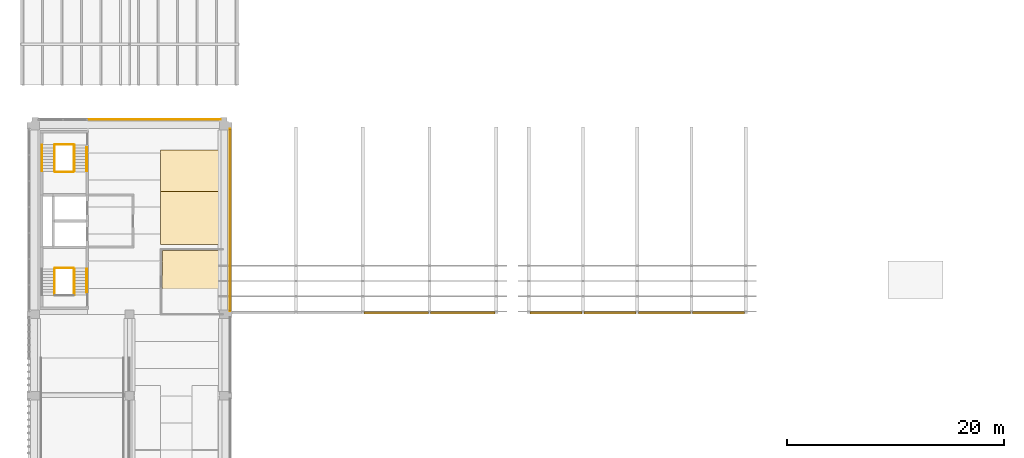
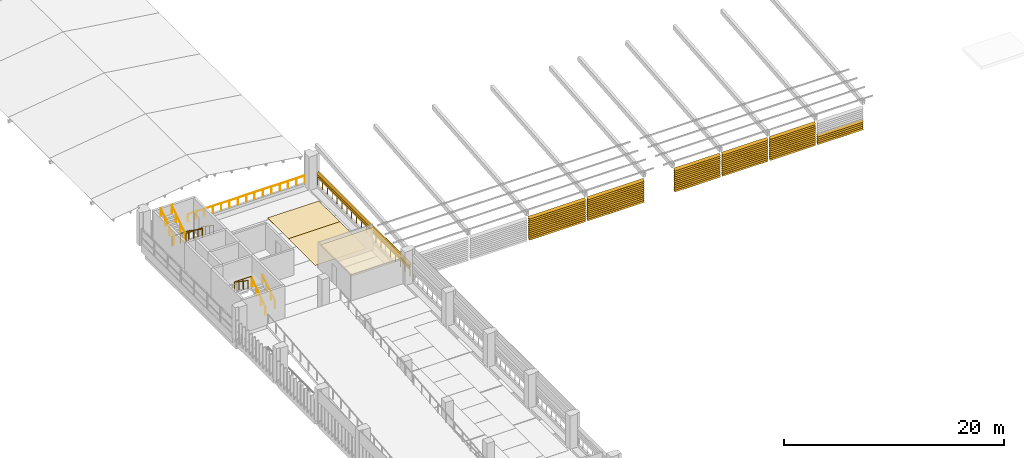
# One storey, part 44 of 52: 68 shading devices, 12 railings, 3 coverings.
"""IFC4 building model written with IfcOpenShell, lengths in metres."""

from ifc_helpers import new_model, si_unit, direction, frame, origin, origin_2d, place, context, subcontext, project, spatial, polyline, circle, outline, extrude, material, layer, layer_set, type_object, element, save


model = new_model("IFC4")

# Units and contexts
model_context = context("Model", 3, precision=1e-05, world=origin(), true_north=direction((0.0, 1.0)))
body_context = subcontext(model_context, "Body", "Model", "MODEL_VIEW")
ifc_project = project(units=[si_unit("LENGTHUNIT", "METRE"), si_unit("AREAUNIT", "SQUARE_METRE"), si_unit("VOLUMEUNIT", "CUBIC_METRE"), si_unit("PLANEANGLEUNIT", "RADIAN"), si_unit("MASSUNIT", "GRAM", prefix="KILO")], contexts=[model_context])

# Site, building, storey
site_placement = place(None, origin())
site = spatial("IfcSite", under=ifc_project, at=site_placement, CompositionType="ELEMENT")
building_placement = place(site_placement, origin())
building = spatial("IfcBuilding", under=site, at=building_placement, Name="Cour d'Honneur Mobility Palace", CompositionType="ELEMENT")
storey_placement = place(building_placement, frame((0.0, 0.0, 23.0)))
storey = spatial("IfcBuildingStorey", under=building, at=storey_placement, Name="L06", CompositionType="ELEMENT", Elevation=23.0)

# Coverings
ifc_material_1 = material(Name="Accessible bay marking paint")
ifc_layer_1 = layer(ifc_material_1, 0.0048828125)
ifc_layer_set_1 = layer_set([ifc_layer_1], Name="Accessible bay marking paint")
covering_type_1 = type_object("IfcCoveringType", Name="Accessible parking bay marking", PredefinedType="FLOORING", material=ifc_layer_set_1)
covering_1_placement = place(storey_placement, origin())
element("IfcCovering", 1, at=covering_1_placement, inside=storey, type_object=covering_type_1, Name="Accessible parking bay marking L06 1", PredefinedType="FLOORING", context=body_context, shape_type="SweptSolid", body=[
    extrude(outline(polyline([(16.949951171875, 51.449951171875), (11.550048828125, 51.449951171875), (11.550048828125, 56.35009765625), (16.949951171875, 56.35009765625), (16.949951171875, 51.449951171875)])), origin(), (0.0, 0.0, 1.0), 0.0048828125),
])
covering_2_placement = place(storey_placement, origin())
element("IfcCovering", 2, at=covering_2_placement, inside=storey, type_object=covering_type_1, Name="Accessible parking bay marking L06 2", PredefinedType="FLOORING", context=body_context, shape_type="SweptSolid", body=[
    extrude(outline(polyline([(11.550048828125, 60.14990234375), (16.949951171875, 60.14990234375), (16.949951171875, 55.25), (11.550048828125, 55.25), (11.550048828125, 60.14990234375)])), origin(), (0.0, 0.0, 1.0), 0.0048828125),
])

# Railings
ifc_material_2 = material(Name="Painted steel", Category="steel")
railing_type_1 = type_object("IfcRailingType", Name="Balustrade", PredefinedType="BALUSTRADE", material=ifc_material_2)
railing_1_placement = place(storey_placement, frame((17.949951171875, 45.300048828125, 0.300048828125)))
element("IfcRailing", 3, at=railing_1_placement, inside=storey, type_object=railing_type_1, Name="Balustrade BAL-348", PredefinedType="BALUSTRADE", context=body_context, shape_type="SweptSolid", body=[
    extrude(circle(Radius=0.02392578125, at=origin_2d()), frame((0.0, 0.0, 0.77587890625), z_axis=(0.0, 1.0, 0.0), x_axis=(-1.0, 0.0, 0.0)), (0.0, 0.0, 1.0), 16.800048828125),
    extrude(circle(Radius=0.02099609375, at=origin_2d()), origin(), (0.0, 0.0, 1.0), 0.751953125),
    extrude(circle(Radius=0.02099609375, at=origin_2d()), frame((0.0, 0.88427734375, 0.0)), (0.0, 0.0, 1.0), 0.751953125),
    extrude(circle(Radius=0.02099609375, at=origin_2d()), frame((0.0, 1.768310546875, 0.0)), (0.0, 0.0, 1.0), 0.751953125),
    extrude(circle(Radius=0.02099609375, at=origin_2d()), frame((0.0, 2.652587890625, 0.0)), (0.0, 0.0, 1.0), 0.751953125),
    extrude(circle(Radius=0.02099609375, at=origin_2d()), frame((0.0, 3.536865234375, 0.0)), (0.0, 0.0, 1.0), 0.751953125),
    extrude(circle(Radius=0.02099609375, at=origin_2d()), frame((0.0, 4.421142578125, 0.0)), (0.0, 0.0, 1.0), 0.751953125),
    extrude(circle(Radius=0.02099609375, at=origin_2d()), frame((0.0, 5.30517578125, 0.0)), (0.0, 0.0, 1.0), 0.751953125),
    extrude(circle(Radius=0.02099609375, at=origin_2d()), frame((0.0, 6.189453125, 0.0)), (0.0, 0.0, 1.0), 0.751953125),
    extrude(circle(Radius=0.02099609375, at=origin_2d()), frame((0.0, 7.07373046875, 0.0)), (0.0, 0.0, 1.0), 0.751953125),
    extrude(circle(Radius=0.02099609375, at=origin_2d()), frame((0.0, 7.9580078125, 0.0)), (0.0, 0.0, 1.0), 0.751953125),
    extrude(circle(Radius=0.02099609375, at=origin_2d()), frame((0.0, 8.842041015625, 0.0)), (0.0, 0.0, 1.0), 0.751953125),
    extrude(circle(Radius=0.02099609375, at=origin_2d()), frame((0.0, 9.726318359375, 0.0)), (0.0, 0.0, 1.0), 0.751953125),
    extrude(circle(Radius=0.02099609375, at=origin_2d()), frame((0.0, 10.610595703125, 0.0)), (0.0, 0.0, 1.0), 0.751953125),
    extrude(circle(Radius=0.02099609375, at=origin_2d()), frame((0.0, 11.494873046875, 0.0)), (0.0, 0.0, 1.0), 0.751953125),
    extrude(circle(Radius=0.02099609375, at=origin_2d()), frame((0.0, 12.37890625, 0.0)), (0.0, 0.0, 1.0), 0.751953125),
    extrude(circle(Radius=0.02099609375, at=origin_2d()), frame((0.0, 13.26318359375, 0.0)), (0.0, 0.0, 1.0), 0.751953125),
    extrude(circle(Radius=0.02099609375, at=origin_2d()), frame((0.0, 14.1474609375, 0.0)), (0.0, 0.0, 1.0), 0.751953125),
    extrude(circle(Radius=0.02099609375, at=origin_2d()), frame((0.0, 15.03173828125, 0.0)), (0.0, 0.0, 1.0), 0.751953125),
    extrude(circle(Radius=0.02099609375, at=origin_2d()), frame((0.0, 15.915771484375, 0.0)), (0.0, 0.0, 1.0), 0.751953125),
    extrude(circle(Radius=0.02099609375, at=origin_2d()), frame((0.0, 16.800048828125, 0.0)), (0.0, 0.0, 1.0), 0.751953125),
])
railing_2_placement = place(storey_placement, frame((17.10009765625, 62.949951171875, 0.300048828125)))
element("IfcRailing", 4, at=railing_2_placement, inside=storey, type_object=railing_type_1, Name="Balustrade BAL-349", PredefinedType="BALUSTRADE", context=body_context, shape_type="SweptSolid", body=[
    extrude(circle(Radius=0.02392578125, at=origin_2d()), frame((0.0, 0.0, 0.77587890625), z_axis=(-1.0, 0.0, 0.0), x_axis=(0.0, -1.0, 0.0)), (0.0, 0.0, 1.0), 12.300048828125),
    extrude(circle(Radius=0.02099609375, at=origin_2d()), origin(), (0.0, 0.0, 1.0), 0.751953125),
    extrude(circle(Radius=0.02099609375, at=origin_2d()), frame((-0.878662109375, 0.0, 0.0)), (0.0, 0.0, 1.0), 0.751953125),
    extrude(circle(Radius=0.02099609375, at=origin_2d()), frame((-1.757080078125, 0.0, 0.0)), (0.0, 0.0, 1.0), 0.751953125),
    extrude(circle(Radius=0.02099609375, at=origin_2d()), frame((-2.6357421875, 0.0, 0.0)), (0.0, 0.0, 1.0), 0.751953125),
    extrude(circle(Radius=0.02099609375, at=origin_2d()), frame((-3.514404296875, 0.0, 0.0)), (0.0, 0.0, 1.0), 0.751953125),
    extrude(circle(Radius=0.02099609375, at=origin_2d()), frame((-4.392822265625, 0.0, 0.0)), (0.0, 0.0, 1.0), 0.751953125),
    extrude(circle(Radius=0.02099609375, at=origin_2d()), frame((-5.271484375, 0.0, 0.0)), (0.0, 0.0, 1.0), 0.751953125),
    extrude(circle(Radius=0.02099609375, at=origin_2d()), frame((-6.14990234375, 0.0, 0.0)), (0.0, 0.0, 1.0), 0.751953125),
    extrude(circle(Radius=0.02099609375, at=origin_2d()), frame((-7.028564453125, 0.0, 0.0)), (0.0, 0.0, 1.0), 0.751953125),
    extrude(circle(Radius=0.02099609375, at=origin_2d()), frame((-7.9072265625, 0.0, 0.0)), (0.0, 0.0, 1.0), 0.751953125),
    extrude(circle(Radius=0.02099609375, at=origin_2d()), frame((-8.78564453125, 0.0, 0.0)), (0.0, 0.0, 1.0), 0.751953125),
    extrude(circle(Radius=0.02099609375, at=origin_2d()), frame((-9.664306640625, 0.0, 0.0)), (0.0, 0.0, 1.0), 0.751953125),
    extrude(circle(Radius=0.02099609375, at=origin_2d()), frame((-10.54296875, 0.0, 0.0)), (0.0, 0.0, 1.0), 0.751953125),
    extrude(circle(Radius=0.02099609375, at=origin_2d()), frame((-11.42138671875, 0.0, 0.0)), (0.0, 0.0, 1.0), 0.751953125),
    extrude(circle(Radius=0.02099609375, at=origin_2d()), frame((-12.300048828125, 0.0, 0.0)), (0.0, 0.0, 1.0), 0.751953125),
])
ifc_material_3 = material(Name="Painted steel", Category="steel")
railing_type_2 = type_object("IfcRailingType", Name="Guardrail 1100", PredefinedType="GUARDRAIL", material=ifc_material_3)
for number, where, name in (
    (5, (1.824951171875, 49.264892578125, 1.85009765625), "Landing guard ST-CW1"),
    (6, (1.824951171875, 60.64501953125, 0.0), "Guard ST-CW2"),
    (7, (1.824951171875, 58.135009765625, 1.85009765625), "Landing guard ST-CW2"),
):
    element("IfcRailing", number, at=place(storey_placement, frame(where)), inside=storey, type_object=railing_type_2, Name=name, PredefinedType="GUARDRAIL", context=body_context, shape_type="SweptSolid", body=[
        extrude(circle(Radius=0.02490234375, at=origin_2d()), frame((0.0, 0.0, 1.0751953125), z_axis=(1.0, 0.0, 0.0), x_axis=(0.0, 1.0, 0.0)), (0.0, 0.0, 1.0), 1.72509765625),
        extrude(circle(Radius=0.02099609375, at=origin_2d()), origin(), (0.0, 0.0, 1.0), 1.050048828125),
        extrude(circle(Radius=0.02099609375, at=origin_2d()), frame((0.862548828125, 0.0, 0.0)), (0.0, 0.0, 1.0), 1.050048828125),
        extrude(circle(Radius=0.02099609375, at=origin_2d()), frame((1.72509765625, 0.0, 0.0)), (0.0, 0.0, 1.0), 1.050048828125),
    ])
ifc_material_4 = material(Name="Stainless steel", Category="steel")
railing_type_3 = type_object("IfcRailingType", Name="Handrail round 50", PredefinedType="HANDRAIL", material=ifc_material_4)
railing_3_placement = place(storey_placement, frame((4.75, 47.0, 0.339111328125)))
element("IfcRailing", 8, at=railing_3_placement, inside=storey, type_object=railing_type_3, Name="Handrail ST-CW1", PredefinedType="HANDRAIL", context=body_context, shape_type="SweptSolid", body=[
    extrude(circle(Radius=0.02490234375, at=origin_2d()), frame((0.0, 0.0, 0.89501953125), z_axis=(0.0, 0.824915021957, 0.565256761613), x_axis=(-1.0, 0.0, 0.0)), (0.0, 0.0, 1.0), 2.673095703125),
    extrude(circle(Radius=0.02099609375, at=origin_2d()), origin(), (0.0, 0.0, 1.0), 0.869873046875),
    extrude(circle(Radius=0.02099609375, at=origin_2d()), frame((0.0, 0.735107421875, 0.503662109375)), (0.0, 0.0, 1.0), 0.869873046875),
    extrude(circle(Radius=0.02099609375, at=origin_2d()), frame((0.0, 1.469970703125, 1.00732421875)), (0.0, 0.0, 1.0), 0.869873046875),
    extrude(circle(Radius=0.02099609375, at=origin_2d()), frame((0.0, 2.205078125, 1.510986328125)), (0.0, 0.0, 1.0), 0.869873046875),
])
railing_4_placement = place(storey_placement, frame((3.60009765625, 46.77490234375, 0.18505859375)))
element("IfcRailing", 9, at=railing_4_placement, inside=storey, type_object=railing_type_3, Name="Handrail ST-CW1", PredefinedType="HANDRAIL", context=body_context, shape_type="SweptSolid", body=[
    extrude(circle(Radius=0.02490234375, at=origin_2d()), frame((0.0, 0.0, 0.89501953125), z_axis=(0.0, 0.824945253146, 0.565212640793), x_axis=(-1.0, 0.0, 0.0)), (0.0, 0.0, 1.0), 2.94580078125),
    extrude(circle(Radius=0.02099609375, at=origin_2d()), origin(), (0.0, 0.0, 1.0), 0.869873046875),
    extrude(circle(Radius=0.02099609375, at=origin_2d()), frame((0.0, 0.81005859375, 0.554931640625)), (0.0, 0.0, 1.0), 0.869873046875),
    extrude(circle(Radius=0.02099609375, at=origin_2d()), frame((0.0, 1.6201171875, 1.110107421875)), (0.0, 0.0, 1.0), 0.869873046875),
    extrude(circle(Radius=0.02099609375, at=origin_2d()), frame((0.0, 2.43017578125, 1.6650390625)), (0.0, 0.0, 1.0), 0.869873046875),
])
railing_5_placement = place(storey_placement, frame((1.77490234375, 49.205078125, 2.034912109375)))
element("IfcRailing", 10, at=railing_5_placement, inside=storey, type_object=railing_type_3, Name="Handrail ST-CW1", PredefinedType="HANDRAIL", context=body_context, shape_type="SweptSolid", body=[
    extrude(circle(Radius=0.02490234375, at=origin_2d()), frame((0.0, 0.0, 0.89501953125), z_axis=(0.0, -0.824945253146, 0.565212640793), x_axis=(1.0, 0.0, 0.0)), (0.0, 0.0, 1.0), 2.94580078125),
    extrude(circle(Radius=0.02099609375, at=origin_2d()), origin(), (0.0, 0.0, 1.0), 0.869873046875),
    extrude(circle(Radius=0.02099609375, at=origin_2d()), frame((0.0, -0.81005859375, 0.554931640625)), (0.0, 0.0, 1.0), 0.869873046875),
    extrude(circle(Radius=0.02099609375, at=origin_2d()), frame((0.0, -1.6201171875, 1.110107421875)), (0.0, 0.0, 1.0), 0.869873046875),
    extrude(circle(Radius=0.02099609375, at=origin_2d()), frame((0.0, -2.43017578125, 1.6650390625)), (0.0, 0.0, 1.0), 0.869873046875),
])
railing_6_placement = place(storey_placement, frame((4.75, 60.39990234375, 0.339111328125)))
element("IfcRailing", 11, at=railing_6_placement, inside=storey, type_object=railing_type_3, Name="Handrail ST-CW2", PredefinedType="HANDRAIL", context=body_context, shape_type="SweptSolid", body=[
    extrude(circle(Radius=0.02490234375, at=origin_2d()), frame((0.0, 0.0, 0.89501953125), z_axis=(0.0, -0.82488583654, 0.565299351384), x_axis=(1.0, 0.0, 0.0)), (0.0, 0.0, 1.0), 2.6728515625),
    extrude(circle(Radius=0.02099609375, at=origin_2d()), origin(), (0.0, 0.0, 1.0), 0.869873046875),
    extrude(circle(Radius=0.02099609375, at=origin_2d()), frame((0.0, -0.73486328125, 0.503662109375)), (0.0, 0.0, 1.0), 0.869873046875),
    extrude(circle(Radius=0.02099609375, at=origin_2d()), frame((0.0, -1.469970703125, 1.00732421875)), (0.0, 0.0, 1.0), 0.869873046875),
    extrude(circle(Radius=0.02099609375, at=origin_2d()), frame((0.0, -2.204833984375, 1.510986328125)), (0.0, 0.0, 1.0), 0.869873046875),
])
railing_7_placement = place(storey_placement, frame((3.60009765625, 60.625, 0.18505859375)))
element("IfcRailing", 12, at=railing_7_placement, inside=storey, type_object=railing_type_3, Name="Handrail ST-CW2", PredefinedType="HANDRAIL", context=body_context, shape_type="SweptSolid", body=[
    extrude(circle(Radius=0.02490234375, at=origin_2d()), frame((0.0, 0.0, 0.89501953125), z_axis=(0.0, -0.8249187745, 0.56525128525), x_axis=(1.0, 0.0, 0.0)), (0.0, 0.0, 1.0), 2.945556640625),
    extrude(circle(Radius=0.02099609375, at=origin_2d()), origin(), (0.0, 0.0, 1.0), 0.869873046875),
    extrude(circle(Radius=0.02099609375, at=origin_2d()), frame((0.0, -0.81005859375, 0.554931640625)), (0.0, 0.0, 1.0), 0.869873046875),
    extrude(circle(Radius=0.02099609375, at=origin_2d()), frame((0.0, -1.619873046875, 1.110107421875)), (0.0, 0.0, 1.0), 0.869873046875),
    extrude(circle(Radius=0.02099609375, at=origin_2d()), frame((0.0, -2.429931640625, 1.6650390625)), (0.0, 0.0, 1.0), 0.869873046875),
])
for number, where, name in (
    (13, (1.77490234375, 58.195068359375, 2.034912109375), "Handrail ST-CW2"),
    (14, (0.625, 58.195068359375, 2.034912109375), "Handrail ST-CW2"),
):
    element("IfcRailing", number, at=place(storey_placement, frame(where)), inside=storey, type_object=railing_type_3, Name=name, PredefinedType="HANDRAIL", context=body_context, shape_type="SweptSolid", body=[
        extrude(circle(Radius=0.02490234375, at=origin_2d()), frame((0.0, 0.0, 0.89501953125), z_axis=(0.0, 0.8249187745, 0.56525128525), x_axis=(-1.0, 0.0, 0.0)), (0.0, 0.0, 1.0), 2.945556640625),
        extrude(circle(Radius=0.02099609375, at=origin_2d()), origin(), (0.0, 0.0, 1.0), 0.869873046875),
        extrude(circle(Radius=0.02099609375, at=origin_2d()), frame((0.0, 0.81005859375, 0.554931640625)), (0.0, 0.0, 1.0), 0.869873046875),
        extrude(circle(Radius=0.02099609375, at=origin_2d()), frame((0.0, 1.619873046875, 1.110107421875)), (0.0, 0.0, 1.0), 0.869873046875),
        extrude(circle(Radius=0.02099609375, at=origin_2d()), frame((0.0, 2.429931640625, 1.6650390625)), (0.0, 0.0, 1.0), 0.869873046875),
    ])

# Covering
ifc_material_5 = material(Name="Suspended ceiling")
ifc_layer_2 = layer(ifc_material_5, 0.030029296875)
ifc_layer_set_2 = layer_set([ifc_layer_2], Name="Suspended ceiling")
covering_type_2 = type_object("IfcCoveringType", Name="Suspended ceiling", PredefinedType="CEILING", material=ifc_layer_set_2)
covering_3_placement = place(storey_placement, frame((0.0, 0.0, 2.550048828125)))
element("IfcCovering", 15, at=covering_3_placement, inside=storey, type_object=covering_type_2, Name="Ceiling Charging Control Room", PredefinedType="CEILING", context=body_context, shape_type="SweptSolid", body=[
    extrude(outline(polyline([(17.280029296875, 45.1201171875), (11.719970703125, 45.1201171875), (11.719970703125, 50.8798828125), (17.280029296875, 50.8798828125), (17.280029296875, 45.1201171875)])), origin(), (0.0, 0.0, 1.0), 0.030029296875),
])

# Shading devices
ifc_material_6 = material(Name="Terracotta", Category="masonry")
ifc_layer_3 = layer(ifc_material_6, 0.02490234375)
ifc_layer_set_3 = layer_set([ifc_layer_3], Name="Terracotta")
shading_device_type = type_object("IfcShadingDeviceType", Name="Terracotta louvre blade", PredefinedType="JALOUSIE", material=ifc_layer_set_3)
shading_device_1_placement = place(storey_placement, frame((17.843994140625, 45.300048828125, 1.10009765625), z_axis=(-0.706699578995, 0.0, 0.707513749017), x_axis=(0.0, 1.0, 0.0)))
element("IfcShadingDevice", 16, at=shading_device_1_placement, inside=storey, type_object=shading_device_type, Name="Louvre blade LV-1 E1.6 L06 1", PredefinedType="JALOUSIE", context=body_context, shape_type="SweptSolid", body=[
    extrude(outline(polyline([(0.0, 0.0), (16.800048828125, 0.0), (16.800048828125, -0.29986442442957895), (0.0, -0.29986442442957895), (0.0, 0.0)])), origin(), (0.0, 0.0, -1.0), 0.02490234375),
])
for number, where, z_axis, x_axis, name in (
    (17, (17.843994140625, 45.300048828125, 1.31201171875), (-0.707106781187, 0.0, 0.707106781187), (0.0, 1.0, 0.0), "Louvre blade LV-1 E1.6 L06 2"),
    (18, (17.843994140625, 45.300048828125, 1.524169921875), (-0.707106781187, 0.0, 0.707106781187), (0.0, 1.0, 0.0), "Louvre blade LV-1 E1.6 L06 3"),
):
    element("IfcShadingDevice", number, at=place(storey_placement, frame(where, z_axis=z_axis, x_axis=x_axis)), inside=storey, type_object=shading_device_type, Name=name, PredefinedType="JALOUSIE", context=body_context, shape_type="SweptSolid", body=[
        extrude(outline(polyline([(0.0, 0.0), (16.800048828125, 0.0), (16.800048828125, -0.30003700822808094), (0.0, -0.30003700822808094), (0.0, 0.0)])), origin(), (0.0, 0.0, -1.0), 0.02490234375),
    ])
for number, where, z_axis, x_axis, name in (
    (19, (30.300048828125, 45.01904296875, 0.124267578125), (0.0, -0.707513749017, 0.706699578995), (1.0, 0.0, 0.0), "Louvre blade LV-2 FW PG-FW-S3 3"),
    (20, (30.300048828125, 45.01904296875, 0.33642578125), (0.0, -0.707513749017, 0.706699578995), (1.0, 0.0, 0.0), "Louvre blade LV-2 FW PG-FW-S3 4"),
    (21, (30.300048828125, 45.01904296875, 0.548583984375), (0.0, -0.707513749017, 0.706699578995), (1.0, 0.0, 0.0), "Louvre blade LV-2 FW PG-FW-S3 5"),
    (22, (30.300048828125, 45.01904296875, 0.7607421875), (0.0, -0.707513749017, 0.706699578995), (1.0, 0.0, 0.0), "Louvre blade LV-2 FW PG-FW-S3 6"),
):
    element("IfcShadingDevice", number, at=place(storey_placement, frame(where, z_axis=z_axis, x_axis=x_axis)), inside=storey, type_object=shading_device_type, Name=name, PredefinedType="JALOUSIE", context=body_context, shape_type="SweptSolid", body=[
        extrude(outline(polyline([(0.0, 0.0), (5.949951171875, 0.0), (5.949951171875, 0.29986442442957895), (0.0, 0.29986442442957895), (0.0, 0.0)])), origin(), (0.0, 0.0, -1.0), 0.02490234375),
    ])
shading_device_2_placement = place(storey_placement, frame((30.300048828125, 45.01904296875, 0.972900390625), z_axis=(0.0, -0.707106781187, 0.707106781187), x_axis=(1.0, 0.0, 0.0)))
element("IfcShadingDevice", 23, at=shading_device_2_placement, inside=storey, type_object=shading_device_type, Name="Louvre blade LV-2 FW PG-FW-S3 7", PredefinedType="JALOUSIE", context=body_context, shape_type="SweptSolid", body=[
    extrude(outline(polyline([(0.0, 0.0), (5.949951171875, 0.0), (5.949951171875, 0.29969174124507975), (0.0, 0.29969174124507975), (0.0, 0.0)])), origin(), (0.0, 0.0, -1.0), 0.02490234375),
])
for number, where, z_axis, x_axis, name in (
    (24, (30.300048828125, 45.01904296875, 1.184814453125), (0.0, -0.707513749017, 0.706699578995), (1.0, 0.0, 0.0), "Louvre blade LV-2 FW PG-FW-S3 8"),
    (25, (30.300048828125, 45.01904296875, 1.39697265625), (0.0, -0.707513749017, 0.706699578995), (1.0, 0.0, 0.0), "Louvre blade LV-2 FW PG-FW-S3 9"),
    (26, (30.300048828125, 45.01904296875, 1.609130859375), (0.0, -0.707513749017, 0.706699578995), (1.0, 0.0, 0.0), "Louvre blade LV-2 FW PG-FW-S3 10"),
    (27, (30.300048828125, 45.01904296875, 1.8212890625), (0.0, -0.707513749017, 0.706699578995), (1.0, 0.0, 0.0), "Louvre blade LV-2 FW PG-FW-S3 11"),
    (28, (30.300048828125, 45.01904296875, 2.033447265625), (0.0, -0.707513749017, 0.706699578995), (1.0, 0.0, 0.0), "Louvre blade LV-2 FW PG-FW-S3 12"),
    (29, (30.300048828125, 45.01904296875, 2.24560546875), (0.0, -0.707513749017, 0.706699578995), (1.0, 0.0, 0.0), "Louvre blade LV-2 FW PG-FW-S3 13"),
    (30, (30.300048828125, 45.01904296875, 2.457763671875), (0.0, -0.707513749017, 0.706699578995), (1.0, 0.0, 0.0), "Louvre blade LV-2 FW PG-FW-S3 14"),
    (31, (36.449951171875, 45.01904296875, 0.124267578125), (0.0, -0.707513749017, 0.706699578995), (1.0, 0.0, 0.0), "Louvre blade LV-2 FW PG-FW-S4 3"),
    (32, (36.449951171875, 45.01904296875, 0.33642578125), (0.0, -0.707513749017, 0.706699578995), (1.0, 0.0, 0.0), "Louvre blade LV-2 FW PG-FW-S4 4"),
    (33, (36.449951171875, 45.01904296875, 0.548583984375), (0.0, -0.707513749017, 0.706699578995), (1.0, 0.0, 0.0), "Louvre blade LV-2 FW PG-FW-S4 5"),
    (34, (36.449951171875, 45.01904296875, 0.7607421875), (0.0, -0.707513749017, 0.706699578995), (1.0, 0.0, 0.0), "Louvre blade LV-2 FW PG-FW-S4 6"),
):
    element("IfcShadingDevice", number, at=place(storey_placement, frame(where, z_axis=z_axis, x_axis=x_axis)), inside=storey, type_object=shading_device_type, Name=name, PredefinedType="JALOUSIE", context=body_context, shape_type="SweptSolid", body=[
        extrude(outline(polyline([(0.0, 0.0), (5.949951171875, 0.0), (5.949951171875, 0.29986442442957895), (0.0, 0.29986442442957895), (0.0, 0.0)])), origin(), (0.0, 0.0, -1.0), 0.02490234375),
    ])
shading_device_3_placement = place(storey_placement, frame((36.449951171875, 45.01904296875, 0.972900390625), z_axis=(0.0, -0.707106781187, 0.707106781187), x_axis=(1.0, 0.0, 0.0)))
element("IfcShadingDevice", 35, at=shading_device_3_placement, inside=storey, type_object=shading_device_type, Name="Louvre blade LV-2 FW PG-FW-S4 7", PredefinedType="JALOUSIE", context=body_context, shape_type="SweptSolid", body=[
    extrude(outline(polyline([(0.0, 0.0), (5.949951171875, 0.0), (5.949951171875, 0.29969174124507975), (0.0, 0.29969174124507975), (0.0, 0.0)])), origin(), (0.0, 0.0, -1.0), 0.02490234375),
])
for number, where, z_axis, x_axis, name in (
    (36, (36.449951171875, 45.01904296875, 1.184814453125), (0.0, -0.707513749017, 0.706699578995), (1.0, 0.0, 0.0), "Louvre blade LV-2 FW PG-FW-S4 8"),
    (37, (36.449951171875, 45.01904296875, 1.39697265625), (0.0, -0.707513749017, 0.706699578995), (1.0, 0.0, 0.0), "Louvre blade LV-2 FW PG-FW-S4 9"),
    (38, (36.449951171875, 45.01904296875, 1.609130859375), (0.0, -0.707513749017, 0.706699578995), (1.0, 0.0, 0.0), "Louvre blade LV-2 FW PG-FW-S4 10"),
    (39, (36.449951171875, 45.01904296875, 1.8212890625), (0.0, -0.707513749017, 0.706699578995), (1.0, 0.0, 0.0), "Louvre blade LV-2 FW PG-FW-S4 11"),
    (40, (36.449951171875, 45.01904296875, 2.033447265625), (0.0, -0.707513749017, 0.706699578995), (1.0, 0.0, 0.0), "Louvre blade LV-2 FW PG-FW-S4 12"),
    (41, (36.449951171875, 45.01904296875, 2.24560546875), (0.0, -0.707513749017, 0.706699578995), (1.0, 0.0, 0.0), "Louvre blade LV-2 FW PG-FW-S4 13"),
    (42, (36.449951171875, 45.01904296875, 2.457763671875), (0.0, -0.707513749017, 0.706699578995), (1.0, 0.0, 0.0), "Louvre blade LV-2 FW PG-FW-S4 14"),
):
    element("IfcShadingDevice", number, at=place(storey_placement, frame(where, z_axis=z_axis, x_axis=x_axis)), inside=storey, type_object=shading_device_type, Name=name, PredefinedType="JALOUSIE", context=body_context, shape_type="SweptSolid", body=[
        extrude(outline(polyline([(0.0, 0.0), (5.949951171875, 0.0), (5.949951171875, 0.29986442442957895), (0.0, 0.29986442442957895), (0.0, 0.0)])), origin(), (0.0, 0.0, -1.0), 0.02490234375),
    ])
for number, where, z_axis, x_axis, name in (
    (43, (45.60009765625, 45.01904296875, 0.124267578125), (0.0, -0.707513749017, 0.706699578995), (1.0, 0.0, 0.0), "Louvre blade LV-2 PW PG-PW-S1 3"),
    (44, (45.60009765625, 45.01904296875, 0.33642578125), (0.0, -0.707513749017, 0.706699578995), (1.0, 0.0, 0.0), "Louvre blade LV-2 PW PG-PW-S1 4"),
    (45, (45.60009765625, 45.01904296875, 0.548583984375), (0.0, -0.707513749017, 0.706699578995), (1.0, 0.0, 0.0), "Louvre blade LV-2 PW PG-PW-S1 5"),
    (46, (45.60009765625, 45.01904296875, 0.7607421875), (0.0, -0.707513749017, 0.706699578995), (1.0, 0.0, 0.0), "Louvre blade LV-2 PW PG-PW-S1 6"),
):
    element("IfcShadingDevice", number, at=place(storey_placement, frame(where, z_axis=z_axis, x_axis=x_axis)), inside=storey, type_object=shading_device_type, Name=name, PredefinedType="JALOUSIE", context=body_context, shape_type="SweptSolid", body=[
        extrude(outline(polyline([(0.0, 0.0), (4.7998046875, 0.0), (4.7998046875, 0.29986442442957895), (0.0, 0.29986442442957895), (0.0, 0.0)])), origin(), (0.0, 0.0, -1.0), 0.02490234375),
    ])
shading_device_4_placement = place(storey_placement, frame((45.60009765625, 45.01904296875, 0.972900390625), z_axis=(0.0, -0.707106781187, 0.707106781187), x_axis=(1.0, 0.0, 0.0)))
element("IfcShadingDevice", 47, at=shading_device_4_placement, inside=storey, type_object=shading_device_type, Name="Louvre blade LV-2 PW PG-PW-S1 7", PredefinedType="JALOUSIE", context=body_context, shape_type="SweptSolid", body=[
    extrude(outline(polyline([(0.0, 0.0), (4.7998046875, 0.0), (4.7998046875, 0.29969174124507975), (0.0, 0.29969174124507975), (0.0, 0.0)])), origin(), (0.0, 0.0, -1.0), 0.02490234375),
])
for number, where, z_axis, x_axis, name in (
    (48, (45.60009765625, 45.01904296875, 1.184814453125), (0.0, -0.707513749017, 0.706699578995), (1.0, 0.0, 0.0), "Louvre blade LV-2 PW PG-PW-S1 8"),
    (49, (45.60009765625, 45.01904296875, 1.39697265625), (0.0, -0.707513749017, 0.706699578995), (1.0, 0.0, 0.0), "Louvre blade LV-2 PW PG-PW-S1 9"),
    (50, (45.60009765625, 45.01904296875, 1.609130859375), (0.0, -0.707513749017, 0.706699578995), (1.0, 0.0, 0.0), "Louvre blade LV-2 PW PG-PW-S1 10"),
    (51, (45.60009765625, 45.01904296875, 1.8212890625), (0.0, -0.707513749017, 0.706699578995), (1.0, 0.0, 0.0), "Louvre blade LV-2 PW PG-PW-S1 11"),
    (52, (45.60009765625, 45.01904296875, 2.033447265625), (0.0, -0.707513749017, 0.706699578995), (1.0, 0.0, 0.0), "Louvre blade LV-2 PW PG-PW-S1 12"),
    (53, (45.60009765625, 45.01904296875, 2.24560546875), (0.0, -0.707513749017, 0.706699578995), (1.0, 0.0, 0.0), "Louvre blade LV-2 PW PG-PW-S1 13"),
    (54, (45.60009765625, 45.01904296875, 2.457763671875), (0.0, -0.707513749017, 0.706699578995), (1.0, 0.0, 0.0), "Louvre blade LV-2 PW PG-PW-S1 14"),
    (55, (50.60009765625, 45.01904296875, 0.124267578125), (0.0, -0.707513749017, 0.706699578995), (1.0, 0.0, 0.0), "Louvre blade LV-2 PW PG-PW-S2 3"),
    (56, (50.60009765625, 45.01904296875, 0.33642578125), (0.0, -0.707513749017, 0.706699578995), (1.0, 0.0, 0.0), "Louvre blade LV-2 PW PG-PW-S2 4"),
    (57, (50.60009765625, 45.01904296875, 0.548583984375), (0.0, -0.707513749017, 0.706699578995), (1.0, 0.0, 0.0), "Louvre blade LV-2 PW PG-PW-S2 5"),
    (58, (50.60009765625, 45.01904296875, 0.7607421875), (0.0, -0.707513749017, 0.706699578995), (1.0, 0.0, 0.0), "Louvre blade LV-2 PW PG-PW-S2 6"),
):
    element("IfcShadingDevice", number, at=place(storey_placement, frame(where, z_axis=z_axis, x_axis=x_axis)), inside=storey, type_object=shading_device_type, Name=name, PredefinedType="JALOUSIE", context=body_context, shape_type="SweptSolid", body=[
        extrude(outline(polyline([(0.0, 0.0), (4.7998046875, 0.0), (4.7998046875, 0.29986442442957895), (0.0, 0.29986442442957895), (0.0, 0.0)])), origin(), (0.0, 0.0, -1.0), 0.02490234375),
    ])
shading_device_5_placement = place(storey_placement, frame((50.60009765625, 45.01904296875, 0.972900390625), z_axis=(0.0, -0.707106781187, 0.707106781187), x_axis=(1.0, 0.0, 0.0)))
element("IfcShadingDevice", 59, at=shading_device_5_placement, inside=storey, type_object=shading_device_type, Name="Louvre blade LV-2 PW PG-PW-S2 7", PredefinedType="JALOUSIE", context=body_context, shape_type="SweptSolid", body=[
    extrude(outline(polyline([(0.0, 0.0), (4.7998046875, 0.0), (4.7998046875, 0.29969174124507975), (0.0, 0.29969174124507975), (0.0, 0.0)])), origin(), (0.0, 0.0, -1.0), 0.02490234375),
])
for number, where, z_axis, x_axis, name in (
    (60, (50.60009765625, 45.01904296875, 1.184814453125), (0.0, -0.707513749017, 0.706699578995), (1.0, 0.0, 0.0), "Louvre blade LV-2 PW PG-PW-S2 8"),
    (61, (50.60009765625, 45.01904296875, 1.39697265625), (0.0, -0.707513749017, 0.706699578995), (1.0, 0.0, 0.0), "Louvre blade LV-2 PW PG-PW-S2 9"),
    (62, (50.60009765625, 45.01904296875, 1.609130859375), (0.0, -0.707513749017, 0.706699578995), (1.0, 0.0, 0.0), "Louvre blade LV-2 PW PG-PW-S2 10"),
    (63, (50.60009765625, 45.01904296875, 1.8212890625), (0.0, -0.707513749017, 0.706699578995), (1.0, 0.0, 0.0), "Louvre blade LV-2 PW PG-PW-S2 11"),
    (64, (50.60009765625, 45.01904296875, 2.033447265625), (0.0, -0.707513749017, 0.706699578995), (1.0, 0.0, 0.0), "Louvre blade LV-2 PW PG-PW-S2 12"),
    (65, (50.60009765625, 45.01904296875, 2.24560546875), (0.0, -0.707513749017, 0.706699578995), (1.0, 0.0, 0.0), "Louvre blade LV-2 PW PG-PW-S2 13"),
    (66, (50.60009765625, 45.01904296875, 2.457763671875), (0.0, -0.707513749017, 0.706699578995), (1.0, 0.0, 0.0), "Louvre blade LV-2 PW PG-PW-S2 14"),
    (67, (55.60009765625, 45.01904296875, 0.124267578125), (0.0, -0.707513749017, 0.706699578995), (1.0, 0.0, 0.0), "Louvre blade LV-2 PW PG-PW-S3 3"),
    (68, (55.60009765625, 45.01904296875, 0.33642578125), (0.0, -0.707513749017, 0.706699578995), (1.0, 0.0, 0.0), "Louvre blade LV-2 PW PG-PW-S3 4"),
    (69, (55.60009765625, 45.01904296875, 0.548583984375), (0.0, -0.707513749017, 0.706699578995), (1.0, 0.0, 0.0), "Louvre blade LV-2 PW PG-PW-S3 5"),
    (70, (55.60009765625, 45.01904296875, 0.7607421875), (0.0, -0.707513749017, 0.706699578995), (1.0, 0.0, 0.0), "Louvre blade LV-2 PW PG-PW-S3 6"),
):
    element("IfcShadingDevice", number, at=place(storey_placement, frame(where, z_axis=z_axis, x_axis=x_axis)), inside=storey, type_object=shading_device_type, Name=name, PredefinedType="JALOUSIE", context=body_context, shape_type="SweptSolid", body=[
        extrude(outline(polyline([(0.0, 0.0), (4.7998046875, 0.0), (4.7998046875, 0.29986442442957895), (0.0, 0.29986442442957895), (0.0, 0.0)])), origin(), (0.0, 0.0, -1.0), 0.02490234375),
    ])
shading_device_6_placement = place(storey_placement, frame((55.60009765625, 45.01904296875, 0.972900390625), z_axis=(0.0, -0.707106781187, 0.707106781187), x_axis=(1.0, 0.0, 0.0)))
element("IfcShadingDevice", 71, at=shading_device_6_placement, inside=storey, type_object=shading_device_type, Name="Louvre blade LV-2 PW PG-PW-S3 7", PredefinedType="JALOUSIE", context=body_context, shape_type="SweptSolid", body=[
    extrude(outline(polyline([(0.0, 0.0), (4.7998046875, 0.0), (4.7998046875, 0.29969174124507975), (0.0, 0.29969174124507975), (0.0, 0.0)])), origin(), (0.0, 0.0, -1.0), 0.02490234375),
])
for number, where, z_axis, x_axis, name in (
    (72, (55.60009765625, 45.01904296875, 1.184814453125), (0.0, -0.707513749017, 0.706699578995), (1.0, 0.0, 0.0), "Louvre blade LV-2 PW PG-PW-S3 8"),
    (73, (55.60009765625, 45.01904296875, 1.39697265625), (0.0, -0.707513749017, 0.706699578995), (1.0, 0.0, 0.0), "Louvre blade LV-2 PW PG-PW-S3 9"),
    (74, (55.60009765625, 45.01904296875, 1.609130859375), (0.0, -0.707513749017, 0.706699578995), (1.0, 0.0, 0.0), "Louvre blade LV-2 PW PG-PW-S3 10"),
    (75, (55.60009765625, 45.01904296875, 1.8212890625), (0.0, -0.707513749017, 0.706699578995), (1.0, 0.0, 0.0), "Louvre blade LV-2 PW PG-PW-S3 11"),
    (76, (55.60009765625, 45.01904296875, 2.033447265625), (0.0, -0.707513749017, 0.706699578995), (1.0, 0.0, 0.0), "Louvre blade LV-2 PW PG-PW-S3 12"),
    (77, (55.60009765625, 45.01904296875, 2.24560546875), (0.0, -0.707513749017, 0.706699578995), (1.0, 0.0, 0.0), "Louvre blade LV-2 PW PG-PW-S3 13"),
    (78, (55.60009765625, 45.01904296875, 2.457763671875), (0.0, -0.707513749017, 0.706699578995), (1.0, 0.0, 0.0), "Louvre blade LV-2 PW PG-PW-S3 14"),
    (79, (60.60009765625, 45.01904296875, 0.124267578125), (0.0, -0.707513749017, 0.706699578995), (1.0, 0.0, 0.0), "Louvre blade LV-2 PW PG-PW-S4 3"),
    (80, (60.60009765625, 45.01904296875, 0.33642578125), (0.0, -0.707513749017, 0.706699578995), (1.0, 0.0, 0.0), "Louvre blade LV-2 PW PG-PW-S4 4"),
    (81, (60.60009765625, 45.01904296875, 0.548583984375), (0.0, -0.707513749017, 0.706699578995), (1.0, 0.0, 0.0), "Louvre blade LV-2 PW PG-PW-S4 5"),
    (82, (60.60009765625, 45.01904296875, 0.7607421875), (0.0, -0.707513749017, 0.706699578995), (1.0, 0.0, 0.0), "Louvre blade LV-2 PW PG-PW-S4 6"),
):
    element("IfcShadingDevice", number, at=place(storey_placement, frame(where, z_axis=z_axis, x_axis=x_axis)), inside=storey, type_object=shading_device_type, Name=name, PredefinedType="JALOUSIE", context=body_context, shape_type="SweptSolid", body=[
        extrude(outline(polyline([(0.0, 0.0), (4.7998046875, 0.0), (4.7998046875, 0.29986442442957895), (0.0, 0.29986442442957895), (0.0, 0.0)])), origin(), (0.0, 0.0, -1.0), 0.02490234375),
    ])
shading_device_7_placement = place(storey_placement, frame((60.60009765625, 45.01904296875, 0.972900390625), z_axis=(0.0, -0.707106781187, 0.707106781187), x_axis=(1.0, 0.0, 0.0)))
element("IfcShadingDevice", 83, at=shading_device_7_placement, inside=storey, type_object=shading_device_type, Name="Louvre blade LV-2 PW PG-PW-S4 7", PredefinedType="JALOUSIE", context=body_context, shape_type="SweptSolid", body=[
    extrude(outline(polyline([(0.0, 0.0), (4.7998046875, 0.0), (4.7998046875, 0.29969174124507975), (0.0, 0.29969174124507975), (0.0, 0.0)])), origin(), (0.0, 0.0, -1.0), 0.02490234375),
])

save(model, "model.ifc")
